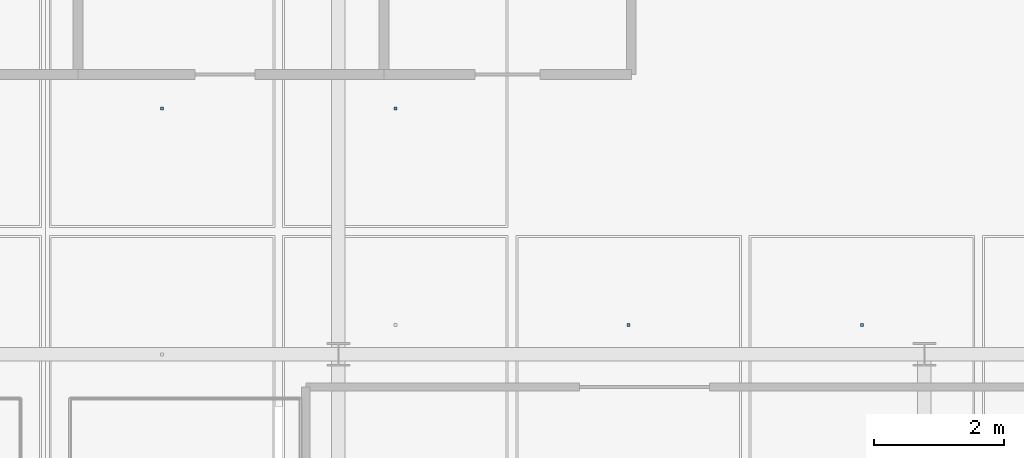
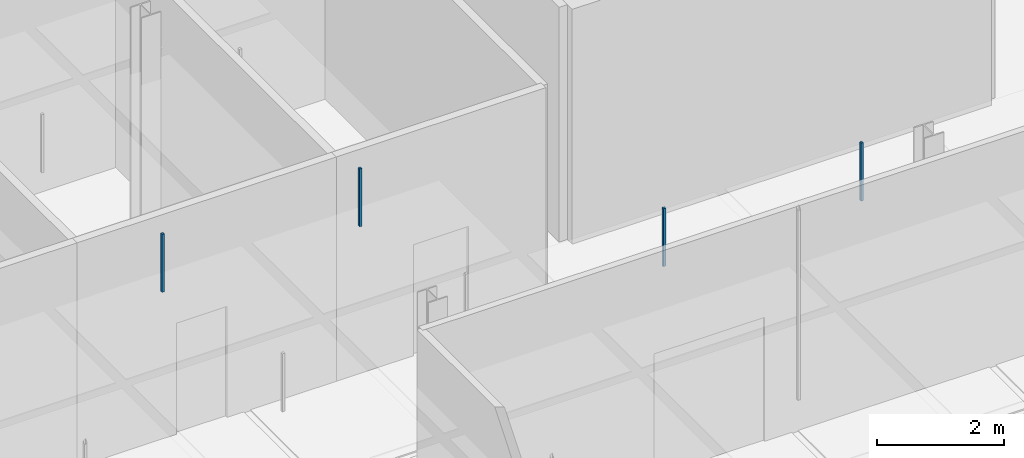
# One storey, part 84 of 130: 4 discrete accessories.
"""IFC4 building model written with IfcOpenShell, lengths in metres."""

from ifc_helpers import new_model, si_unit, direction, frame, origin, origin_2d, place, context, subcontext, project, spatial, rectangle, extrude, material, type_object, element, save


model = new_model("IFC4")

# Units and contexts
model_context = context("Model", 3, precision=1e-05, world=origin(), true_north=direction((0.0, 1.0)))
body_context = subcontext(model_context, "Body", "Model", "MODEL_VIEW")
ifc_project = project(units=[si_unit("LENGTHUNIT", "METRE"), si_unit("AREAUNIT", "SQUARE_METRE"), si_unit("VOLUMEUNIT", "CUBIC_METRE"), si_unit("PLANEANGLEUNIT", "RADIAN"), si_unit("MASSUNIT", "GRAM", prefix="KILO"), si_unit("THERMODYNAMICTEMPERATUREUNIT", "KELVIN"), si_unit("POWERUNIT", "WATT")], contexts=[model_context])

# Site, building, storey
site_placement = place(None, origin())
site = spatial("IfcSite", under=ifc_project, at=site_placement, CompositionType="ELEMENT")
building_placement = place(site_placement, origin())
building = spatial("IfcBuilding", under=site, at=building_placement, Name="Tallowbark Science Centre", CompositionType="ELEMENT")
storey_placement = place(building_placement, frame((0.0, 0.0, 5.39990234375)))
storey = spatial("IfcBuildingStorey", under=building, at=storey_placement, Name="L01", CompositionType="ELEMENT", Elevation=5.39990234375)

# Discrete accessories
ifc_material = material(Name="Galvanised Steel Grade C350L0 (350 MPa)", Category="steel")
discrete_accessory_type = type_object("IfcDiscreteAccessoryType", Name="ACC-CLG-HNG", PredefinedType="BRACKET", material=ifc_material)
for number, where, z_axis, x_axis, name in (
    (1, (82.791748046875, 26.27783203125, 3.20947265625), (0.0, 0.0, 1.0), (1.0, 0.0, 0.0), "Ceiling Hanger Bracket L01-530"),
    (2, (86.375, 26.27783203125, 3.20947265625), (0.0, 0.0, 1.0), (1.0, 0.0, 0.0), "Ceiling Hanger Bracket L01-539"),
    (3, (89.958251953125, 22.949462890625, 3.20947265625), (0.0, 0.0, 1.0), (1.0, 0.0, 0.0), "Ceiling Hanger Bracket L01-547"),
    (4, (93.541748046875, 22.949462890625, 3.20947265625), (0.0, 0.0, 1.0), (1.0, 0.0, 0.0), "Ceiling Hanger Bracket L01-552"),
):
    element("IfcDiscreteAccessory", number, at=place(storey_placement, frame(where, z_axis=z_axis, x_axis=x_axis)), inside=storey, type_object=discrete_accessory_type, Name=name, PredefinedType="BRACKET", context=body_context, shape_type="SweptSolid", body=[
        extrude(rectangle(XDim=0.044921875, YDim=0.044921875, at=origin_2d()), origin(), (0.0, 0.0, 1.0), 1.113525390625),
    ])

save(model, "model.ifc")
